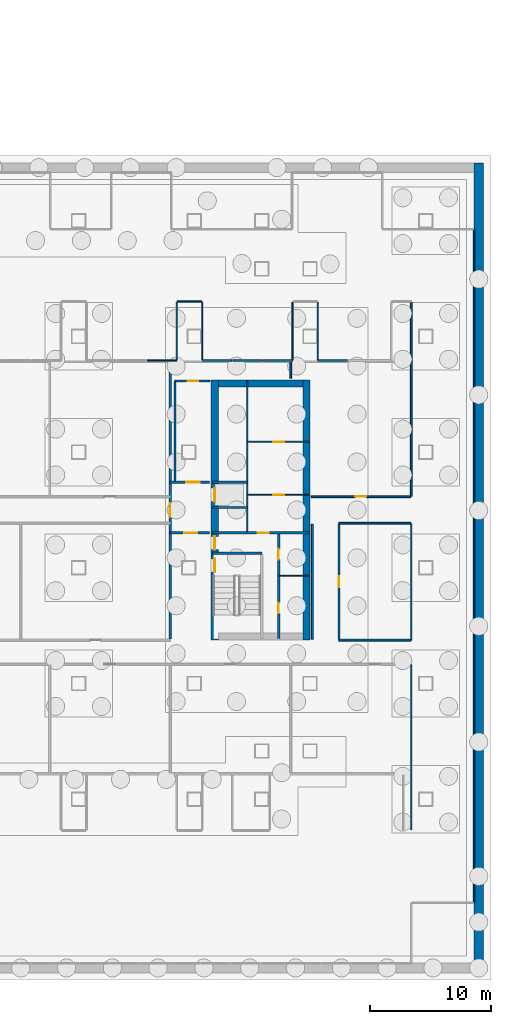
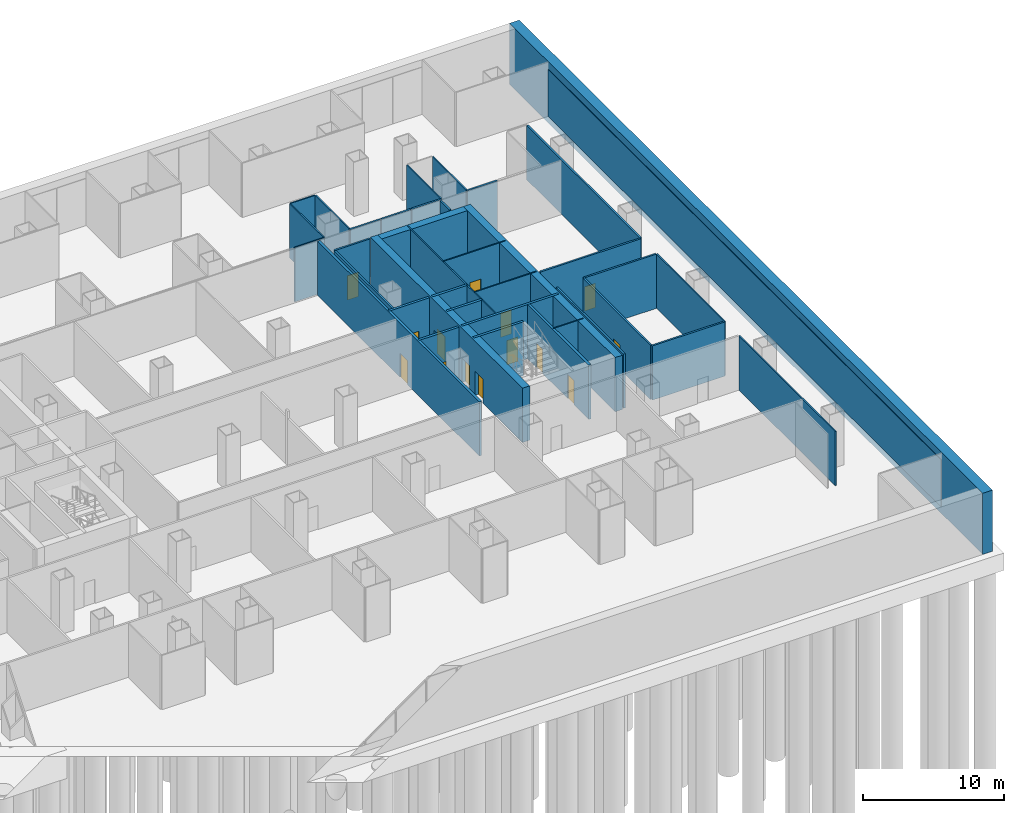
# One storey, part 11 of 17: 38 walls, 14 doors, 14 openings.
"""IFC4 building model written with IfcOpenShell, lengths in metres."""

from ifc_helpers import new_model, si_unit, direction, frame, frame_2d, origin, place, context, subcontext, project, spatial, rectangle, extrude, material, layer, layer_set, type_object, element, fill, save


model = new_model("IFC4")

# Units and contexts
model_context = context("Model", 3, precision=1e-05, world=origin(), true_north=direction((0.0, 1.0)))
body_context = subcontext(model_context, "Body", "Model", "MODEL_VIEW")
ifc_project = project(units=[si_unit("LENGTHUNIT", "METRE"), si_unit("AREAUNIT", "SQUARE_METRE"), si_unit("VOLUMEUNIT", "CUBIC_METRE"), si_unit("PLANEANGLEUNIT", "RADIAN"), si_unit("MASSUNIT", "GRAM", prefix="KILO")], contexts=[model_context])

# Site, building, storey
site_placement = place(None, origin())
site = spatial("IfcSite", under=ifc_project, at=site_placement, CompositionType="ELEMENT")
building_placement = place(site_placement, origin())
building = spatial("IfcBuilding", under=site, at=building_placement, Name="Cobrizo Arcos Hotel Tower", CompositionType="ELEMENT")
storey_placement = place(building_placement, frame((0.0, 0.0, -10.0)))
storey = spatial("IfcBuildingStorey", under=building, at=storey_placement, Name="B2", CompositionType="ELEMENT", Elevation=-10.0)

# Walls
ifc_material_1 = material(Name="Gypsum board partition")
ifc_layer_1 = layer(ifc_material_1, 0.14990234375)
ifc_layer_set_1 = layer_set([ifc_layer_1], Name="Corridor wall EI 60 150")
wall_type_1 = type_object("IfcWallType", Name="Corridor wall EI 60 150", PredefinedType="PARTITIONING", material=ifc_layer_set_1)
for number, where, z_axis, x_axis, name in (
    (1, (26.39990234375, -10.800048828125, 0.0), (0.0, 0.0, 1.0), (1.0, 0.0, 0.0), "Partition 062"),
    (2, (26.39990234375, -1.10009765625, 0.0), (0.0, 0.0, 1.0), (1.0, 0.0, 0.0), "Partition 073"),
):
    element("IfcWall", number, at=place(storey_placement, frame(where, z_axis=z_axis, x_axis=x_axis)), inside=storey, type_object=wall_type_1, Name=name, PredefinedType="PARTITIONING", context=body_context, shape_type="SweptSolid", body=[
        extrude(rectangle(XDim=5.9501953125, YDim=0.14990234375, at=frame_2d((2.97509765625, 0.0))), origin(), (0.0, 0.0, 1.0), 4.699951171875),
    ])

# Wall, opening, door
wall_1_placement = place(storey_placement, frame((24.1201171875, 1.10009765625, 0.0), z_axis=(0.0, 0.0, 1.0), x_axis=(1.0, 0.0, 0.0)))
wall_1 = element("IfcWall", 3, at=wall_1_placement, inside=storey, type_object=wall_type_1, Name="Partition 078", PredefinedType="PARTITIONING", context=body_context, shape_type="SweptSolid", body=[
    extrude(rectangle(XDim=8.22998046875, YDim=0.14990234375, at=frame_2d((4.114990234375, 0.0))), origin(), (0.0, 0.0, 1.0), 4.699951171875),
])
opening_1_placement = place(wall_1_placement, frame((3.6298828125, 0.0, 0.0)))
opening_1 = element("IfcOpeningElement", 4, at=opening_1_placement, cuts=wall_1, Name="Opening RD-28", PredefinedType="OPENING", context=body_context, shape_type="SweptSolid", body=[
    extrude(rectangle(XDim=0.89990234375, YDim=2.10009765625, at=frame_2d((0.449951171875, 1.050048828125))), frame((0.0, 0.0869140625, 0.0), z_axis=(0.0, -1.0, 0.0), x_axis=(1.0, 0.0, 0.0)), (0.0, 0.0, 1.0), 0.173828125),
])
ifc_material_2 = material(Name="Timber door leaf", Category="wood")
door_type_1 = type_object("IfcDoorType", Name="Room door FD30 900x2100", OperationType="SINGLE_SWING_LEFT", PredefinedType="DOOR", material=ifc_material_2)
door_1_placement = place(opening_1_placement, origin())
door_1 = element("IfcDoor", 5, at=door_1_placement, inside=storey, type_object=door_type_1, Name="Door RD-28", OperationType="SINGLE_SWING_LEFT", OverallHeight=2.10009765625, OverallWidth=0.89990234375, PredefinedType="DOOR", context=body_context, shape_type="SweptSolid", body=[
    extrude(rectangle(XDim=0.89990234375, YDim=2.10009765625, at=frame_2d((0.449951171875, 1.050048828125))), frame((0.0, 0.02490234375, 0.0), z_axis=(0.0, -1.0, 0.0), x_axis=(1.0, 0.0, 0.0)), (0.0, 0.0, 1.0), 0.050048828125),
])
fill(opening_1, door_1)

wall_2_placement = place(storey_placement, frame((12.800048828125, 10.699951171875, 0.0), z_axis=(0.0, 0.0, 1.0), x_axis=(1.0, 0.0, 0.0)))
wall_2 = element("IfcWall", 6, at=wall_2_placement, inside=storey, type_object=wall_type_1, Name="Partition 088", PredefinedType="PARTITIONING", context=body_context, shape_type="SweptSolid", body=[
    extrude(rectangle(XDim=2.8798828125, YDim=0.14990234375, at=frame_2d((1.43994140625, 0.0))), origin(), (0.0, 0.0, 1.0), 4.699951171875),
])
opening_2_placement = place(wall_2_placement, frame((1.050048828125, 0.0, 0.0)))
opening_2 = element("IfcOpeningElement", 7, at=opening_2_placement, cuts=wall_2, Name="Opening RD-27", PredefinedType="OPENING", context=body_context, shape_type="SweptSolid", body=[
    extrude(rectangle(XDim=0.89990234375, YDim=2.10009765625, at=frame_2d((0.449951171875, 1.050048828125))), frame((0.0, 0.0869140625, 0.0), z_axis=(0.0, -1.0, 0.0), x_axis=(1.0, 0.0, 0.0)), (0.0, 0.0, 1.0), 0.173828125),
])
door_2_placement = place(opening_2_placement, origin())
door_2 = element("IfcDoor", 8, at=door_2_placement, inside=storey, type_object=door_type_1, Name="Door RD-27", OperationType="SINGLE_SWING_LEFT", OverallHeight=2.10009765625, OverallWidth=0.89990234375, PredefinedType="DOOR", context=body_context, shape_type="SweptSolid", body=[
    extrude(rectangle(XDim=0.89990234375, YDim=2.10009765625, at=frame_2d((0.449951171875, 1.050048828125))), frame((0.0, 0.02490234375, 0.0), z_axis=(0.0, -1.0, 0.0), x_axis=(1.0, 0.0, 0.0)), (0.0, 0.0, 1.0), 0.050048828125),
])
fill(opening_2, door_2)

# Walls
wall_3_placement = place(storey_placement, frame((15.050048828125, 12.39990234375, 0.0), z_axis=(0.0, 0.0, 1.0), x_axis=(1.0, 0.0, 0.0)))
element("IfcWall", 9, at=wall_3_placement, inside=storey, type_object=wall_type_1, Name="Partition 106", PredefinedType="PARTITIONING", context=body_context, shape_type="SweptSolid", body=[
    extrude(rectangle(XDim=2.449951171875, YDim=0.14990234375, at=frame_2d((1.22509765625, 0.0))), origin(), (0.0, 0.0, 1.0), 4.699951171875),
])
wall_4_placement = place(storey_placement, frame((17.60009765625, 12.39990234375, 0.0), z_axis=(0.0, 0.0, 1.0), x_axis=(1.0, 0.0, 0.0)))
element("IfcWall", 10, at=wall_4_placement, inside=storey, type_object=wall_type_1, Name="Partition 107", PredefinedType="PARTITIONING", context=body_context, shape_type="SweptSolid", body=[
    extrude(rectangle(XDim=2.39990234375, YDim=0.14990234375, at=frame_2d((1.199951171875, 0.0))), origin(), (0.0, 0.0, 1.0), 4.699951171875),
])
wall_5_placement = place(storey_placement, frame((20.10009765625, 12.39990234375, 0.0), z_axis=(0.0, 0.0, 1.0), x_axis=(1.0, 0.0, 0.0)))
element("IfcWall", 11, at=wall_5_placement, inside=storey, type_object=wall_type_1, Name="Partition 108", PredefinedType="PARTITIONING", context=body_context, shape_type="SweptSolid", body=[
    extrude(rectangle(XDim=2.449951171875, YDim=0.14990234375, at=frame_2d((1.22509765625, 0.0))), origin(), (0.0, 0.0, 1.0), 4.699951171875),
])
wall_6_placement = place(storey_placement, frame((24.64990234375, 12.39990234375, 0.0), z_axis=(0.0, 0.0, 1.0), x_axis=(1.0, 0.0, 0.0)))
element("IfcWall", 12, at=wall_6_placement, inside=storey, type_object=wall_type_1, Name="Partition 109", PredefinedType="PARTITIONING", context=body_context, shape_type="SweptSolid", body=[
    extrude(rectangle(XDim=2.4501953125, YDim=0.14990234375, at=frame_2d((1.22509765625, 0.0))), origin(), (0.0, 0.0, 1.0), 4.699951171875),
])
wall_7_placement = place(storey_placement, frame((12.800048828125, 2.39990234375, 0.0), z_axis=(0.0, 0.0, 1.0), x_axis=(0.0, 1.0, 0.0)))
element("IfcWall", 13, at=wall_7_placement, inside=storey, type_object=wall_type_1, Name="Partition 201", PredefinedType="PARTITIONING", context=body_context, shape_type="SweptSolid", body=[
    extrude(rectangle(XDim=8.22509765625, YDim=0.14990234375, at=frame_2d((4.112548828125, 0.0))), origin(), (0.0, 0.0, 1.0), 4.699951171875),
])
wall_8_placement = place(storey_placement, frame((22.39990234375, 10.919921875, 0.0), z_axis=(0.0, 0.0, 1.0), x_axis=(0.0, 1.0, 0.0)))
element("IfcWall", 14, at=wall_8_placement, inside=storey, type_object=wall_type_1, Name="Partition 212", PredefinedType="PARTITIONING", context=body_context, shape_type="SweptSolid", body=[
    extrude(rectangle(XDim=1.330078125, YDim=0.14990234375, at=frame_2d((0.6650390625, 0.0))), origin(), (0.0, 0.0, 1.0), 4.699951171875),
])
wall_9_placement = place(storey_placement, frame((24.199951171875, -10.72509765625, 0.0), z_axis=(0.0, 0.0, 1.0), x_axis=(0.0, 1.0, 0.0)))
element("IfcWall", 15, at=wall_9_placement, inside=storey, type_object=wall_type_1, Name="Partition 215", PredefinedType="PARTITIONING", context=body_context, shape_type="SweptSolid", body=[
    extrude(rectangle(XDim=9.550048828125, YDim=0.14990234375, at=frame_2d((4.77490234375, 0.0))), origin(), (0.0, 0.0, 1.0), 4.699951171875),
])

# Wall, opening, door
wall_10_placement = place(storey_placement, frame((26.39990234375, -10.72509765625, 0.0), z_axis=(0.0, 0.0, 1.0), x_axis=(0.0, 1.0, 0.0)))
wall_10 = element("IfcWall", 16, at=wall_10_placement, inside=storey, type_object=wall_type_1, Name="Partition 217", PredefinedType="PARTITIONING", context=body_context, shape_type="SweptSolid", body=[
    extrude(rectangle(XDim=9.550048828125, YDim=0.14990234375, at=frame_2d((4.77490234375, 0.0))), origin(), (0.0, 0.0, 1.0), 4.699951171875),
])
opening_3_placement = place(wall_10_placement, frame((4.324951171875, 0.0, 0.0)))
opening_3 = element("IfcOpeningElement", 17, at=opening_3_placement, cuts=wall_10, Name="Opening RD-18", PredefinedType="OPENING", context=body_context, shape_type="SweptSolid", body=[
    extrude(rectangle(XDim=0.89990234375, YDim=2.10009765625, at=frame_2d((0.449951171875, 1.050048828125))), frame((0.0, 0.0869140625, 0.0), z_axis=(0.0, -1.0, 0.0), x_axis=(1.0, 0.0, 0.0)), (0.0, 0.0, 1.0), 0.173828125),
])
door_3_placement = place(opening_3_placement, origin())
door_3 = element("IfcDoor", 18, at=door_3_placement, inside=storey, type_object=door_type_1, Name="Door RD-18", OperationType="SINGLE_SWING_LEFT", OverallHeight=2.10009765625, OverallWidth=0.89990234375, PredefinedType="DOOR", context=body_context, shape_type="SweptSolid", body=[
    extrude(rectangle(XDim=0.89990234375, YDim=2.10009765625, at=frame_2d((0.449951171875, 1.050048828125))), frame((0.0, 0.02490234375, 0.0), z_axis=(0.0, -1.0, 0.0), x_axis=(1.0, 0.0, 0.0)), (0.0, 0.0, 1.0), 0.050048828125),
])
fill(opening_3, door_3)

# Walls
wall_11_placement = place(storey_placement, frame((32.39990234375, 1.14990234375, 0.0), z_axis=(0.0, 0.0, 1.0), x_axis=(0.0, 1.0, 0.0)))
element("IfcWall", 19, at=wall_11_placement, inside=storey, type_object=wall_type_1, Name="Partition 224", PredefinedType="PARTITIONING", context=body_context, shape_type="SweptSolid", body=[
    extrude(rectangle(XDim=16.10009765625, YDim=0.14990234375, at=frame_2d((8.050048828125, 0.0))), origin(), (0.0, 0.0, 1.0), 4.699951171875),
])
ifc_layer_2 = layer(ifc_material_1, 0.10009765625)
ifc_layer_set_2 = layer_set([ifc_layer_2], Name="Partition EI 30 100")
wall_type_2 = type_object("IfcWallType", Name="Partition EI 30 100", PredefinedType="PARTITIONING", material=ifc_layer_set_2)
wall_12_placement = place(storey_placement, frame((21.39990234375, -5.449951171875, 0.0), z_axis=(0.0, 0.0, 1.0), x_axis=(1.0, 0.0, 0.0)))
element("IfcWall", 20, at=wall_12_placement, inside=storey, type_object=wall_type_2, Name="Partition 064", PredefinedType="PARTITIONING", context=body_context, shape_type="SweptSolid", body=[
    extrude(rectangle(XDim=2.47998046875, YDim=0.10009765625, at=frame_2d((1.239990234375, 0.0))), origin(), (0.0, 0.0, 1.0), 4.699951171875),
])

# Wall, opening, door
wall_13_placement = place(storey_placement, frame((18.800048828125, 1.25, 0.0), z_axis=(0.0, 0.0, 1.0), x_axis=(1.0, 0.0, 0.0)))
wall_13 = element("IfcWall", 21, at=wall_13_placement, inside=storey, type_object=wall_type_2, Name="Partition 080", PredefinedType="PARTITIONING", context=body_context, shape_type="SweptSolid", body=[
    extrude(rectangle(XDim=5.079833984375, YDim=0.10009765625, at=frame_2d((2.5400390625, 0.0))), origin(), (0.0, 0.0, 1.0), 4.699951171875),
])
opening_4_placement = place(wall_13_placement, frame((2.14990234375, 0.0, 0.0)))
opening_4 = element("IfcOpeningElement", 22, at=opening_4_placement, cuts=wall_13, Name="Opening RD-09", PredefinedType="OPENING", context=body_context, shape_type="SweptSolid", body=[
    extrude(rectangle(XDim=0.89990234375, YDim=2.10009765625, at=frame_2d((0.449951171875, 1.050048828125))), frame((0.0, 0.06201171875, 0.0), z_axis=(0.0, -1.0, 0.0), x_axis=(1.0, 0.0, 0.0)), (0.0, 0.0, 1.0), 0.1240234375),
])
door_4_placement = place(opening_4_placement, origin())
door_4 = element("IfcDoor", 23, at=door_4_placement, inside=storey, type_object=door_type_1, Name="Door RD-09", OperationType="SINGLE_SWING_RIGHT", OverallHeight=2.10009765625, OverallWidth=0.89990234375, PredefinedType="DOOR", context=body_context, shape_type="SweptSolid", body=[
    extrude(rectangle(XDim=0.89990234375, YDim=2.10009765625, at=frame_2d((0.449951171875, 1.050048828125))), frame((0.0, 0.02490234375, 0.0), z_axis=(0.0, -1.0, 0.0), x_axis=(1.0, 0.0, 0.0)), (0.0, 0.0, 1.0), 0.050048828125),
])
fill(opening_4, door_4)

wall_14_placement = place(storey_placement, frame((18.800048828125, 5.64990234375, 0.0), z_axis=(0.0, 0.0, 1.0), x_axis=(1.0, 0.0, 0.0)))
wall_14 = element("IfcWall", 24, at=wall_14_placement, inside=storey, type_object=wall_type_2, Name="Partition 086", PredefinedType="PARTITIONING", context=body_context, shape_type="SweptSolid", body=[
    extrude(rectangle(XDim=5.079833984375, YDim=0.10009765625, at=frame_2d((2.5400390625, 0.0))), origin(), (0.0, 0.0, 1.0), 4.699951171875),
])
opening_5_placement = place(wall_14_placement, frame((2.14990234375, 0.0, 0.0)))
opening_5 = element("IfcOpeningElement", 25, at=opening_5_placement, cuts=wall_14, Name="Opening RD-10", PredefinedType="OPENING", context=body_context, shape_type="SweptSolid", body=[
    extrude(rectangle(XDim=0.89990234375, YDim=2.10009765625, at=frame_2d((0.449951171875, 1.050048828125))), frame((0.0, 0.06201171875, 0.0), z_axis=(0.0, -1.0, 0.0), x_axis=(1.0, 0.0, 0.0)), (0.0, 0.0, 1.0), 0.1240234375),
])
door_5_placement = place(opening_5_placement, origin())
door_5 = element("IfcDoor", 26, at=door_5_placement, inside=storey, type_object=door_type_1, Name="Door RD-10", OperationType="SINGLE_SWING_RIGHT", OverallHeight=2.10009765625, OverallWidth=0.89990234375, PredefinedType="DOOR", context=body_context, shape_type="SweptSolid", body=[
    extrude(rectangle(XDim=0.89990234375, YDim=2.10009765625, at=frame_2d((0.449951171875, 1.050048828125))), frame((0.0, 0.02490234375, 0.0), z_axis=(0.0, -1.0, 0.0), x_axis=(1.0, 0.0, 0.0)), (0.0, 0.0, 1.0), 0.050048828125),
])
fill(opening_5, door_5)

# Walls
wall_15_placement = place(storey_placement, frame((10.5, 12.39990234375, 0.0), z_axis=(0.0, 0.0, 1.0), x_axis=(1.0, 0.0, 0.0)))
element("IfcWall", 27, at=wall_15_placement, inside=storey, type_object=wall_type_2, Name="Partition 105", PredefinedType="PARTITIONING", context=body_context, shape_type="SweptSolid", body=[
    extrude(rectangle(XDim=2.449951171875, YDim=0.10009765625, at=frame_2d((1.22509765625, 0.0))), origin(), (0.0, 0.0, 1.0), 4.699951171875),
])
wall_16_placement = place(storey_placement, frame((13.0, 17.300048828125, 0.0), z_axis=(0.0, 0.0, 1.0), x_axis=(1.0, 0.0, 0.0)))
element("IfcWall", 28, at=wall_16_placement, inside=storey, type_object=wall_type_2, Name="Partition 116", PredefinedType="PARTITIONING", context=body_context, shape_type="SweptSolid", body=[
    extrude(rectangle(XDim=2.0, YDim=0.10009765625, at=frame_2d((1.0, 0.0))), origin(), (0.0, 0.0, 1.0), 4.699951171875),
])
wall_17_placement = place(storey_placement, frame((12.949951171875, 12.449951171875, 0.0), z_axis=(0.0, 0.0, 1.0), x_axis=(0.0, 1.0, 0.0)))
element("IfcWall", 29, at=wall_17_placement, inside=storey, type_object=wall_type_2, Name="Partition 203", PredefinedType="PARTITIONING", context=body_context, shape_type="SweptSolid", body=[
    extrude(rectangle(XDim=4.800048828125, YDim=0.10009765625, at=frame_2d((2.39990234375, 0.0))), origin(), (0.0, 0.0, 1.0), 4.699951171875),
])
wall_18_placement = place(storey_placement, frame((15.050048828125, 12.47509765625, 0.0), z_axis=(0.0, 0.0, 1.0), x_axis=(0.0, 1.0, 0.0)))
element("IfcWall", 30, at=wall_18_placement, inside=storey, type_object=wall_type_2, Name="Partition 205", PredefinedType="PARTITIONING", context=body_context, shape_type="SweptSolid", body=[
    extrude(rectangle(XDim=4.77490234375, YDim=0.10009765625, at=frame_2d((2.387451171875, 0.0))), origin(), (0.0, 0.0, 1.0), 4.699951171875),
])
wall_19_placement = place(storey_placement, frame((18.800048828125, -1.800048828125, 0.0), z_axis=(0.0, 0.0, 1.0), x_axis=(0.0, 1.0, 0.0)))
element("IfcWall", 31, at=wall_19_placement, inside=storey, type_object=wall_type_2, Name="Partition 207", PredefinedType="PARTITIONING", context=body_context, shape_type="SweptSolid", body=[
    extrude(rectangle(XDim=12.47998046875, YDim=0.10009765625, at=frame_2d((6.239990234375, 0.0))), origin(), (0.0, 0.0, 1.0), 4.699951171875),
])
for number, where, z_axis, x_axis, name in (
    (32, (22.550048828125, 12.47509765625, 0.0), (0.0, 0.0, 1.0), (0.0, 1.0, 0.0), "Partition 214"),
    (33, (24.64990234375, 12.47509765625, 0.0), (0.0, 0.0, 1.0), (0.0, 1.0, 0.0), "Partition 216"),
):
    element("IfcWall", number, at=place(storey_placement, frame(where, z_axis=z_axis, x_axis=x_axis)), inside=storey, type_object=wall_type_2, Name=name, PredefinedType="PARTITIONING", context=body_context, shape_type="SweptSolid", body=[
        extrude(rectangle(XDim=4.77490234375, YDim=0.10009765625, at=frame_2d((2.387451171875, 0.0))), origin(), (0.0, 0.0, 1.0), 4.699951171875),
    ])
wall_20_placement = place(storey_placement, frame((32.39990234375, -26.550048828125, 0.0), z_axis=(0.0, 0.0, 1.0), x_axis=(0.0, 1.0, 0.0)))
element("IfcWall", 34, at=wall_20_placement, inside=storey, type_object=wall_type_2, Name="Partition 222", PredefinedType="PARTITIONING", context=body_context, shape_type="SweptSolid", body=[
    extrude(rectangle(XDim=13.699951171875, YDim=0.10009765625, at=frame_2d((6.85009765625, 0.0))), origin(), (0.0, 0.0, 1.0), 4.699951171875),
])
wall_21_placement = place(storey_placement, frame((32.39990234375, -10.800048828125, 0.0), z_axis=(0.0, 0.0, 1.0), x_axis=(0.0, 1.0, 0.0)))
element("IfcWall", 35, at=wall_21_placement, inside=storey, type_object=wall_type_2, Name="Partition 223", PredefinedType="PARTITIONING", context=body_context, shape_type="SweptSolid", body=[
    extrude(rectangle(XDim=9.650146484375, YDim=0.10009765625, at=frame_2d((4.8251953125, 0.0))), origin(), (0.0, 0.0, 1.0), 4.699951171875),
])
wall_22_placement = place(storey_placement, frame((37.60009765625, -32.550048828125, 0.0), z_axis=(0.0, 0.0, 1.0), x_axis=(0.0, 1.0, 0.0)))
element("IfcWall", 36, at=wall_22_placement, inside=storey, type_object=wall_type_2, Name="Partition 225", PredefinedType="PARTITIONING", context=body_context, shape_type="SweptSolid", body=[
    extrude(rectangle(XDim=55.800048828125, YDim=0.10009765625, at=frame_2d((27.89990234375, 0.0))), origin(), (0.0, 0.0, 1.0), 4.077880859375),
])

# Wall, openings, doors
ifc_material_3 = material(Name="Concrete f'c 60 MPa", Category="concrete")
ifc_layer_3 = layer(ifc_material_3, 0.60009765625)
ifc_layer_set_3 = layer_set([ifc_layer_3], Name="RC core wall 600 f'c 60")
wall_type_3 = type_object("IfcWallType", Name="RC core wall 600 f'c 60", PredefinedType="SHEAR", material=ifc_layer_set_3)
wall_23_placement = place(storey_placement, frame((16.10009765625, -10.800048828125, 0.0), z_axis=(0.0, 0.0, 1.0), x_axis=(0.0, 1.0, 0.0)))
wall_23 = element("IfcWall", 37, at=wall_23_placement, inside=storey, type_object=wall_type_3, Name="Core wall CW1, east core, inner face, B2", PredefinedType="SHEAR", context=body_context, shape_type="SweptSolid", body=[
    extrude(rectangle(XDim=21.60009765625, YDim=0.60009765625, at=frame_2d((10.800048828125, 0.0))), origin(), (0.0, 0.0, 1.0), 4.699951171875),
])
opening_6_placement = place(wall_23_placement, frame((11.5, 0.0, 0.0)))
opening_6 = element("IfcOpeningElement", 38, at=opening_6_placement, cuts=wall_23, Name="Opening LD-02", PredefinedType="OPENING", context=body_context, shape_type="SweptSolid", body=[
    extrude(rectangle(XDim=1.10009765625, YDim=2.10009765625, at=frame_2d((0.550048828125, 1.050048828125))), frame((0.0, 0.31201171875, 0.0), z_axis=(0.0, -1.0, 0.0), x_axis=(1.0, 0.0, 0.0)), (0.0, 0.0, 1.0), 0.6240234375),
])
opening_7_placement = place(wall_23_placement, frame((5.64208984375, 0.0, 0.0)))
opening_7 = element("IfcOpeningElement", 39, at=opening_7_placement, cuts=wall_23, Name="Opening SD-02", PredefinedType="OPENING", context=body_context, shape_type="SweptSolid", body=[
    extrude(rectangle(XDim=1.10009765625, YDim=2.10009765625, at=frame_2d((0.550048828125, 1.050048828125))), frame((0.0, 0.31201171875, 0.0), z_axis=(0.0, -1.0, 0.0), x_axis=(1.0, 0.0, 0.0)), (0.0, 0.0, 1.0), 0.6240234375),
])
opening_8_placement = place(wall_23_placement, frame((7.5, 0.0, 0.0)))
opening_8 = element("IfcOpeningElement", 40, at=opening_8_placement, cuts=wall_23, Name="Opening FD-05", PredefinedType="OPENING", context=body_context, shape_type="SweptSolid", body=[
    extrude(rectangle(XDim=1.10009765625, YDim=2.10009765625, at=frame_2d((0.550048828125, 1.050048828125))), frame((0.0, 0.31201171875, 0.0), z_axis=(0.0, -1.0, 0.0), x_axis=(1.0, 0.0, 0.0)), (0.0, 0.0, 1.0), 0.6240234375),
])
ifc_material_4 = material(Name="Steel door leaf", Category="steel")
door_type_2 = type_object("IfcDoorType", Name="Fire door FD60 1100x2100", OperationType="SINGLE_SWING_LEFT", PredefinedType="DOOR", material=ifc_material_4)
door_6_placement = place(opening_8_placement, origin())
door_6 = element("IfcDoor", 41, at=door_6_placement, inside=storey, type_object=door_type_2, Name="Door FD-05", OperationType="SINGLE_SWING_LEFT", OverallHeight=2.10009765625, OverallWidth=1.10009765625, PredefinedType="DOOR", context=body_context, shape_type="SweptSolid", body=[
    extrude(rectangle(XDim=1.10009765625, YDim=2.10009765625, at=frame_2d((0.550048828125, 1.050048828125))), frame((0.0, 0.02490234375, 0.0), z_axis=(0.0, -1.0, 0.0), x_axis=(1.0, 0.0, 0.0)), (0.0, 0.0, 1.0), 0.050048828125),
])
fill(opening_8, door_6)
door_type_3 = type_object("IfcDoorType", Name="Lift landing door 1100x2100", OperationType="SLIDING_TO_LEFT", PredefinedType="DOOR", material=ifc_material_4)
door_7_placement = place(opening_6_placement, origin())
door_7 = element("IfcDoor", 42, at=door_7_placement, inside=storey, type_object=door_type_3, Name="Lift landing door LD-02", OperationType="SLIDING_TO_LEFT", OverallHeight=2.10009765625, OverallWidth=1.10009765625, PredefinedType="DOOR", context=body_context, shape_type="SweptSolid", body=[
    extrude(rectangle(XDim=1.10009765625, YDim=2.10009765625, at=frame_2d((0.550048828125, 1.050048828125))), frame((0.0, 0.02490234375, 0.0), z_axis=(0.0, -1.0, 0.0), x_axis=(1.0, 0.0, 0.0)), (0.0, 0.0, 1.0), 0.050048828125),
])
fill(opening_6, door_7)
door_type_4 = type_object("IfcDoorType", Name="Stair door FD60S 1100x2100", OperationType="SINGLE_SWING_LEFT", PredefinedType="DOOR", material=ifc_material_4)
door_8_placement = place(opening_7_placement, origin())
door_8 = element("IfcDoor", 43, at=door_8_placement, inside=storey, type_object=door_type_4, Name="Door SD-02", OperationType="SINGLE_SWING_LEFT", OverallHeight=2.10009765625, OverallWidth=1.10009765625, PredefinedType="DOOR", context=body_context, shape_type="SweptSolid", body=[
    extrude(rectangle(XDim=1.10009765625, YDim=2.10009765625, at=frame_2d((0.550048828125, 1.050048828125))), frame((0.0, 0.02490234375, 0.0), z_axis=(0.0, -1.0, 0.0), x_axis=(1.0, 0.0, 0.0)), (0.0, 0.0, 1.0), 0.050048828125),
])
fill(opening_7, door_8)

# Walls
wall_24_placement = place(storey_placement, frame((23.699951171875, -10.800048828125, 0.0), z_axis=(0.0, 0.0, 1.0), x_axis=(0.0, 1.0, 0.0)))
element("IfcWall", 44, at=wall_24_placement, inside=storey, type_object=wall_type_3, Name="Core wall CW1, east core, outer face, B2", PredefinedType="SHEAR", context=body_context, shape_type="SweptSolid", body=[
    extrude(rectangle(XDim=21.60009765625, YDim=0.60009765625, at=frame_2d((10.800048828125, 0.0))), origin(), (0.0, 0.0, 1.0), 4.699951171875),
])
wall_25_placement = place(storey_placement, frame((16.39990234375, 10.5, 0.0), z_axis=(0.0, 0.0, 1.0), x_axis=(1.0, 0.0, 0.0)))
element("IfcWall", 45, at=wall_25_placement, inside=storey, type_object=wall_type_3, Name="Core wall CW1, east core, north end, B2", PredefinedType="SHEAR", context=body_context, shape_type="SweptSolid", body=[
    extrude(rectangle(XDim=7.0, YDim=0.60009765625, at=frame_2d((3.5, 0.0))), origin(), (0.0, 0.0, 1.0), 4.699951171875),
])
ifc_material_5 = material(Name="Concrete f'c 40 MPa", Category="concrete")
ifc_layer_4 = layer(ifc_material_5, 0.800048828125)
ifc_layer_set_4 = layer_set([ifc_layer_4], Name="Retaining wall 800 f'c 40")
wall_type_4 = type_object("IfcWallType", Name="Retaining wall 800 f'c 40", PredefinedType="SOLIDWALL", material=ifc_layer_set_4)
wall_26_placement = place(storey_placement, frame((38.0, -38.39990234375, -0.60009765625), z_axis=(0.0, 0.0, 1.0), x_axis=(0.0, 1.0, 0.0)))
element("IfcWall", 46, at=wall_26_placement, inside=storey, type_object=wall_type_4, Name="Retaining wall RW-B2-E, east side, B2", PredefinedType="SOLIDWALL", context=body_context, shape_type="SweptSolid", body=[
    extrude(rectangle(XDim=67.199951171875, YDim=0.800048828125, at=frame_2d((33.60009765625, 0.0))), origin(), (0.0, 0.0, 1.0), 5.300048828125),
])

# Wall, opening, door
ifc_layer_5 = layer(ifc_material_1, 0.199951171875)
ifc_layer_set_5 = layer_set([ifc_layer_5], Name="Shaft wall EI 120 200")
wall_type_5 = type_object("IfcWallType", Name="Shaft wall EI 120 200", PredefinedType="PARTITIONING", material=ifc_layer_set_5)
wall_27_placement = place(storey_placement, frame((12.39990234375, -1.89990234375, 0.0), z_axis=(0.0, 0.0, 1.0), x_axis=(1.0, 0.0, 0.0)))
wall_27 = element("IfcWall", 47, at=wall_27_placement, inside=storey, type_object=wall_type_5, Name="Partition 069", PredefinedType="PARTITIONING", context=body_context, shape_type="SweptSolid", body=[
    extrude(rectangle(XDim=3.280029296875, YDim=0.199951171875, at=frame_2d((1.64013671875, 0.0))), origin(), (0.0, 0.0, 1.0), 4.699951171875),
])
opening_9_placement = place(wall_27_placement, frame((1.14990234375, 0.0, 0.0)))
opening_9 = element("IfcOpeningElement", 48, at=opening_9_placement, cuts=wall_27, Name="Opening FD-06", PredefinedType="OPENING", context=body_context, shape_type="SweptSolid", body=[
    extrude(rectangle(XDim=1.10009765625, YDim=2.10009765625, at=frame_2d((0.550048828125, 1.050048828125))), frame((0.0, 0.112060546875, 0.0), z_axis=(0.0, -1.0, 0.0), x_axis=(1.0, 0.0, 0.0)), (0.0, 0.0, 1.0), 0.223876953125),
])
door_9_placement = place(opening_9_placement, origin())
door_9 = element("IfcDoor", 49, at=door_9_placement, inside=storey, type_object=door_type_2, Name="Door FD-06", OperationType="SINGLE_SWING_RIGHT", OverallHeight=2.10009765625, OverallWidth=1.10009765625, PredefinedType="DOOR", context=body_context, shape_type="SweptSolid", body=[
    extrude(rectangle(XDim=1.10009765625, YDim=2.10009765625, at=frame_2d((0.550048828125, 1.050048828125))), frame((0.0, 0.02490234375, 0.0), z_axis=(0.0, -1.0, 0.0), x_axis=(1.0, 0.0, 0.0)), (0.0, 0.0, 1.0), 0.050048828125),
])
fill(opening_9, door_9)

wall_28_placement = place(storey_placement, frame((15.919921875, -1.89990234375, 0.0), z_axis=(0.0, 0.0, 1.0), x_axis=(1.0, 0.0, 0.0)))
wall_28 = element("IfcWall", 50, at=wall_28_placement, inside=storey, type_object=wall_type_5, Name="Partition 070", PredefinedType="PARTITIONING", context=body_context, shape_type="SweptSolid", body=[
    extrude(rectangle(XDim=7.9599609375, YDim=0.199951171875, at=frame_2d((3.97998046875, 0.0))), origin(), (0.0, 0.0, 1.0), 4.699951171875),
])
opening_10_placement = place(wall_28_placement, frame((3.739990234375, 0.0, 0.0)))
opening_10 = element("IfcOpeningElement", 51, at=opening_10_placement, cuts=wall_28, Name="Opening RD-08", PredefinedType="OPENING", context=body_context, shape_type="SweptSolid", body=[
    extrude(rectangle(XDim=0.89990234375, YDim=2.10009765625, at=frame_2d((0.449951171875, 1.050048828125))), frame((0.0, 0.112060546875, 0.0), z_axis=(0.0, -1.0, 0.0), x_axis=(1.0, 0.0, 0.0)), (0.0, 0.0, 1.0), 0.223876953125),
])
door_10_placement = place(opening_10_placement, origin())
door_10 = element("IfcDoor", 52, at=door_10_placement, inside=storey, type_object=door_type_1, Name="Door RD-08", OperationType="SINGLE_SWING_LEFT", OverallHeight=2.10009765625, OverallWidth=0.89990234375, PredefinedType="DOOR", context=body_context, shape_type="SweptSolid", body=[
    extrude(rectangle(XDim=0.89990234375, YDim=2.10009765625, at=frame_2d((0.449951171875, 1.050048828125))), frame((0.0, 0.02490234375, 0.0), z_axis=(0.0, -1.0, 0.0), x_axis=(1.0, 0.0, 0.0)), (0.0, 0.0, 1.0), 0.050048828125),
])
fill(opening_10, door_10)

# Wall
wall_29_placement = place(storey_placement, frame((15.919921875, 0.199951171875, 0.0), z_axis=(0.0, 0.0, 1.0), x_axis=(1.0, 0.0, 0.0)))
element("IfcWall", 53, at=wall_29_placement, inside=storey, type_object=wall_type_5, Name="Partition 075", PredefinedType="PARTITIONING", context=body_context, shape_type="SweptSolid", body=[
    extrude(rectangle(XDim=2.880126953125, YDim=0.199951171875, at=frame_2d((1.43994140625, 0.0))), origin(), (0.0, 0.0, 1.0), 4.699951171875),
])

# Wall, opening, door
wall_30_placement = place(storey_placement, frame((12.39990234375, 2.300048828125, 0.0), z_axis=(0.0, 0.0, 1.0), x_axis=(1.0, 0.0, 0.0)))
wall_30 = element("IfcWall", 54, at=wall_30_placement, inside=storey, type_object=wall_type_5, Name="Partition 083", PredefinedType="PARTITIONING", context=body_context, shape_type="SweptSolid", body=[
    extrude(rectangle(XDim=3.280029296875, YDim=0.199951171875, at=frame_2d((1.64013671875, 0.0))), origin(), (0.0, 0.0, 1.0), 4.699951171875),
])
opening_11_placement = place(wall_30_placement, frame((1.340087890625, 0.0, 0.0)))
opening_11 = element("IfcOpeningElement", 55, at=opening_11_placement, cuts=wall_30, Name="Opening FD-08", PredefinedType="OPENING", context=body_context, shape_type="SweptSolid", body=[
    extrude(rectangle(XDim=1.10009765625, YDim=2.10009765625, at=frame_2d((0.550048828125, 1.050048828125))), frame((0.0, 0.112060546875, 0.0), z_axis=(0.0, -1.0, 0.0), x_axis=(1.0, 0.0, 0.0)), (0.0, 0.0, 1.0), 0.223876953125),
])
door_11_placement = place(opening_11_placement, origin())
door_11 = element("IfcDoor", 56, at=door_11_placement, inside=storey, type_object=door_type_2, Name="Door FD-08", OperationType="SINGLE_SWING_RIGHT", OverallHeight=2.10009765625, OverallWidth=1.10009765625, PredefinedType="DOOR", context=body_context, shape_type="SweptSolid", body=[
    extrude(rectangle(XDim=1.10009765625, YDim=2.10009765625, at=frame_2d((0.550048828125, 1.050048828125))), frame((0.0, 0.02490234375, 0.0), z_axis=(0.0, -1.0, 0.0), x_axis=(1.0, 0.0, 0.0)), (0.0, 0.0, 1.0), 0.050048828125),
])
fill(opening_11, door_11)

# Wall
wall_31_placement = place(storey_placement, frame((15.919921875, 2.300048828125, 0.0), z_axis=(0.0, 0.0, 1.0), x_axis=(1.0, 0.0, 0.0)))
element("IfcWall", 57, at=wall_31_placement, inside=storey, type_object=wall_type_5, Name="Partition 084", PredefinedType="PARTITIONING", context=body_context, shape_type="SweptSolid", body=[
    extrude(rectangle(XDim=2.880126953125, YDim=0.199951171875, at=frame_2d((1.43994140625, 0.0))), origin(), (0.0, 0.0, 1.0), 4.699951171875),
])

# Wall, opening, door
wall_32_placement = place(storey_placement, frame((12.39990234375, -10.72509765625, 0.0), z_axis=(0.0, 0.0, 1.0), x_axis=(0.0, 1.0, 0.0)))
wall_32 = element("IfcWall", 58, at=wall_32_placement, inside=storey, type_object=wall_type_5, Name="Partition 199", PredefinedType="PARTITIONING", context=body_context, shape_type="SweptSolid", body=[
    extrude(rectangle(XDim=22.97509765625, YDim=0.199951171875, at=frame_2d((11.487548828125, 0.0))), origin(), (0.0, 0.0, 1.0), 4.699951171875),
])
opening_12_placement = place(wall_32_placement, frame((10.175048828125, 0.0, 0.0)))
opening_12 = element("IfcOpeningElement", 59, at=opening_12_placement, cuts=wall_32, Name="Opening FD-07", PredefinedType="OPENING", context=body_context, shape_type="SweptSolid", body=[
    extrude(rectangle(XDim=1.10009765625, YDim=2.10009765625, at=frame_2d((0.550048828125, 1.050048828125))), frame((0.0, 0.112060546875, 0.0), z_axis=(0.0, -1.0, 0.0), x_axis=(1.0, 0.0, 0.0)), (0.0, 0.0, 1.0), 0.223876953125),
])
door_12_placement = place(opening_12_placement, origin())
door_12 = element("IfcDoor", 60, at=door_12_placement, inside=storey, type_object=door_type_2, Name="Door FD-07", OperationType="SINGLE_SWING_LEFT", OverallHeight=2.10009765625, OverallWidth=1.10009765625, PredefinedType="DOOR", context=body_context, shape_type="SweptSolid", body=[
    extrude(rectangle(XDim=1.10009765625, YDim=2.10009765625, at=frame_2d((0.550048828125, 1.050048828125))), frame((0.0, 0.02490234375, 0.0), z_axis=(0.0, -1.0, 0.0), x_axis=(1.0, 0.0, 0.0)), (0.0, 0.0, 1.0), 0.050048828125),
])
fill(opening_12, door_12)

# Wall, openings, doors
wall_33_placement = place(storey_placement, frame((21.39990234375, -10.679931640625, 0.0), z_axis=(0.0, 0.0, 1.0), x_axis=(0.0, 1.0, 0.0)))
wall_33 = element("IfcWall", 61, at=wall_33_placement, inside=storey, type_object=wall_type_5, Name="Partition 210", PredefinedType="PARTITIONING", context=body_context, shape_type="SweptSolid", body=[
    extrude(rectangle(XDim=8.679931640625, YDim=0.199951171875, at=frame_2d((4.33984375, 0.0))), origin(), (0.0, 0.0, 1.0), 4.699951171875),
])
opening_13_placement = place(wall_33_placement, frame((2.10009765625, 0.0, 0.0)))
opening_13 = element("IfcOpeningElement", 62, at=opening_13_placement, cuts=wall_33, Name="Opening RD-06", PredefinedType="OPENING", context=body_context, shape_type="SweptSolid", body=[
    extrude(rectangle(XDim=0.89990234375, YDim=2.10009765625, at=frame_2d((0.449951171875, 1.050048828125))), frame((0.0, 0.112060546875, 0.0), z_axis=(0.0, -1.0, 0.0), x_axis=(1.0, 0.0, 0.0)), (0.0, 0.0, 1.0), 0.223876953125),
])
opening_14_placement = place(wall_33_placement, frame((6.550048828125, 0.0, 0.0)))
opening_14 = element("IfcOpeningElement", 63, at=opening_14_placement, cuts=wall_33, Name="Opening RD-07", PredefinedType="OPENING", context=body_context, shape_type="SweptSolid", body=[
    extrude(rectangle(XDim=0.89990234375, YDim=2.10009765625, at=frame_2d((0.449951171875, 1.050048828125))), frame((0.0, 0.112060546875, 0.0), z_axis=(0.0, -1.0, 0.0), x_axis=(1.0, 0.0, 0.0)), (0.0, 0.0, 1.0), 0.223876953125),
])
door_13_placement = place(opening_13_placement, origin())
door_13 = element("IfcDoor", 64, at=door_13_placement, inside=storey, type_object=door_type_1, Name="Door RD-06", OperationType="SINGLE_SWING_RIGHT", OverallHeight=2.10009765625, OverallWidth=0.89990234375, PredefinedType="DOOR", context=body_context, shape_type="SweptSolid", body=[
    extrude(rectangle(XDim=0.89990234375, YDim=2.10009765625, at=frame_2d((0.449951171875, 1.050048828125))), frame((0.0, 0.02490234375, 0.0), z_axis=(0.0, -1.0, 0.0), x_axis=(1.0, 0.0, 0.0)), (0.0, 0.0, 1.0), 0.050048828125),
])
fill(opening_13, door_13)
door_14_placement = place(opening_14_placement, origin())
door_14 = element("IfcDoor", 65, at=door_14_placement, inside=storey, type_object=door_type_1, Name="Door RD-07", OperationType="SINGLE_SWING_LEFT", OverallHeight=2.10009765625, OverallWidth=0.89990234375, PredefinedType="DOOR", context=body_context, shape_type="SweptSolid", body=[
    extrude(rectangle(XDim=0.89990234375, YDim=2.10009765625, at=frame_2d((0.449951171875, 1.050048828125))), frame((0.0, 0.02490234375, 0.0), z_axis=(0.0, -1.0, 0.0), x_axis=(1.0, 0.0, 0.0)), (0.0, 0.0, 1.0), 0.050048828125),
])
fill(opening_14, door_14)

# Wall
ifc_layer_6 = layer(ifc_material_5, 0.199951171875)
ifc_layer_set_6 = layer_set([ifc_layer_6], Name="Stair shaft wall 200")
wall_type_6 = type_object("IfcWallType", Name="Stair shaft wall 200", PredefinedType="SHEAR", material=ifc_layer_set_6)
wall_34_placement = place(storey_placement, frame((15.919921875, -3.60009765625, 0.0), z_axis=(0.0, 0.0, 1.0), x_axis=(1.0, 0.0, 0.0)))
element("IfcWall", 66, at=wall_34_placement, inside=storey, type_object=wall_type_6, Name="Stair shaft wall E", PredefinedType="SHEAR", context=body_context, shape_type="SweptSolid", body=[
    extrude(rectangle(XDim=4.080078125, YDim=0.199951171875, at=frame_2d((2.0400390625, 0.0))), origin(), (0.0, 0.0, 1.0), 4.699951171875),
])

save(model, "model.ifc")
